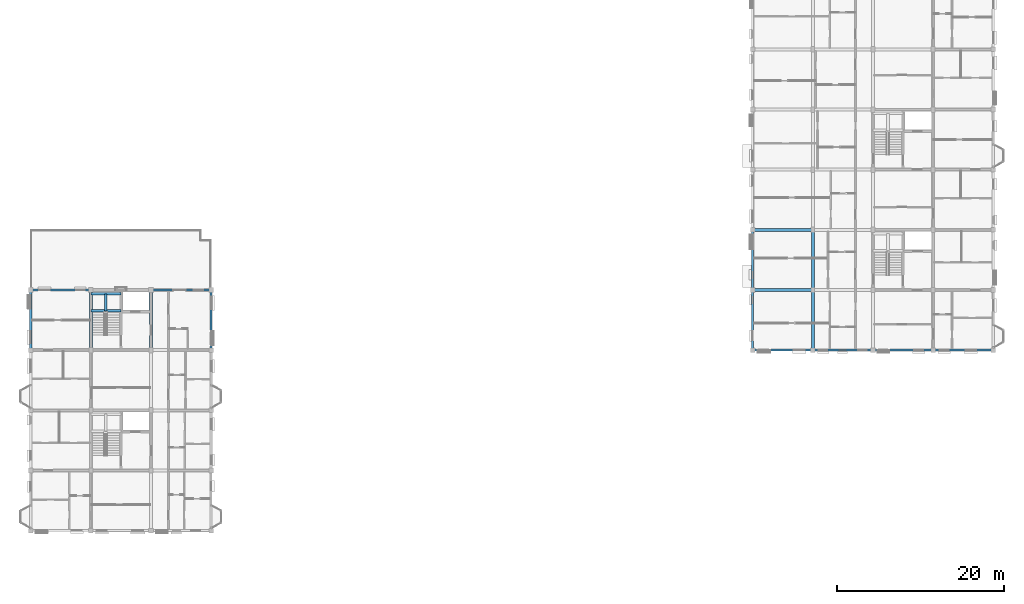
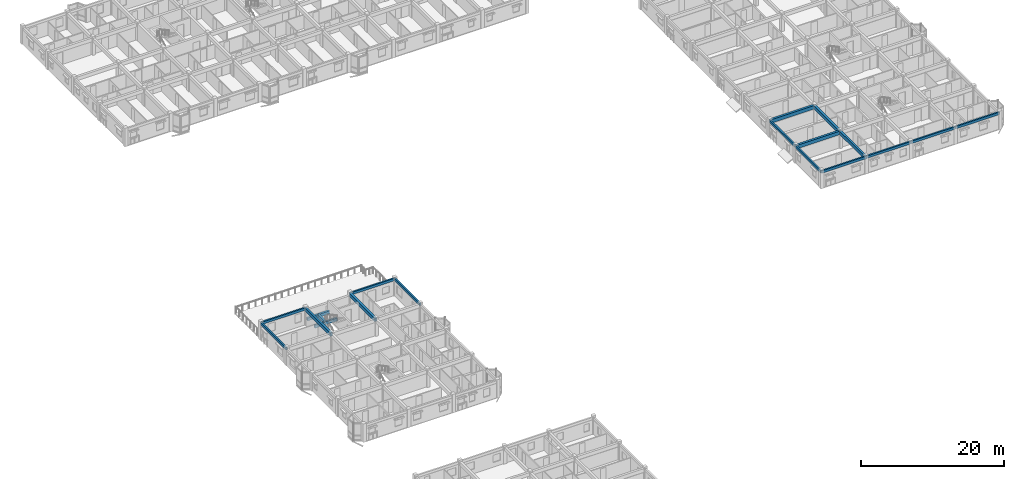
# One storey, part 20 of 75: 19 beams.
"""IFC4 building model written with IfcOpenShell, lengths in metres."""

from ifc_helpers import new_model, si_unit, direction, frame, origin, origin_2d, place, context, subcontext, project, spatial, rectangle, extrude, material, material_profile, profile_set, type_object, element, save


model = new_model("IFC4")

# Units and contexts
model_context = context("Model", 3, precision=1e-05, world=origin(), true_north=direction((0.0, 1.0)))
body_context = subcontext(model_context, "Body", "Model", "MODEL_VIEW")
ifc_project = project(units=[si_unit("LENGTHUNIT", "METRE"), si_unit("AREAUNIT", "SQUARE_METRE"), si_unit("VOLUMEUNIT", "CUBIC_METRE"), si_unit("PLANEANGLEUNIT", "RADIAN"), si_unit("MASSUNIT", "GRAM", prefix="KILO"), si_unit("THERMODYNAMICTEMPERATUREUNIT", "KELVIN"), si_unit("POWERUNIT", "WATT")], contexts=[model_context])

# Site, building, storey
site_placement = place(None, origin())
site = spatial("IfcSite", under=ifc_project, at=site_placement, CompositionType="ELEMENT")
building_placement = place(site_placement, origin())
building = spatial("IfcBuilding", under=site, at=building_placement, Name="Tavuni Mirador Residences", CompositionType="ELEMENT")
storey_placement = place(building_placement, frame((0.0, 0.0, 20.25)))
storey = spatial("IfcBuildingStorey", under=building, at=storey_placement, Name="L06", CompositionType="ELEMENT", Elevation=20.25)

# Beams
ifc_material = material(Name="Precast concrete C40/50", Category="concrete")
ifc_material_profile_1 = material_profile(ifc_material, rectangle(XDim=0.300048828125, YDim=0.5, at=origin_2d()), Name="PC 300x500", Category="concrete")
ifc_profile_set_1 = profile_set([ifc_material_profile_1], Name="Precast concrete C40/50")
beam_type_1 = type_object("IfcBeamType", Name="BT-B500", PredefinedType="BEAM", material=ifc_profile_set_1)
for number, where, z_axis, x_axis, name in (
    (1, (10.800048828125, 91.10009765625, 1.14501953125), (1.0, 0.0, 0.0), (0.0, 1.0, 0.0), "HLB1-C4-L06"),
    (2, (10.800048828125, 93.14990234375, 1.14501953125), (1.0, 0.0, 0.0), (0.0, 1.0, 0.0), "HLB2-C4-L06"),
):
    element("IfcBeam", number, at=place(storey_placement, frame(where, z_axis=z_axis, x_axis=x_axis)), inside=storey, type_object=beam_type_1, Name=name, PredefinedType="BEAM", context=body_context, shape_type="SweptSolid", body=[
        extrude(rectangle(XDim=0.300048828125, YDim=0.5, at=origin_2d()), origin(), (0.0, 0.0, 1.0), 3.599853515625),
    ])
beam_1_placement = place(storey_placement, frame((12.60009765625, 91.10009765625, 1.14501953125), z_axis=(0.0, 1.0, 0.0), x_axis=(-1.0, 0.0, 0.0)))
element("IfcBeam", 3, at=beam_1_placement, inside=storey, type_object=beam_type_1, Name="HLB3-C4-L06", PredefinedType="BEAM", context=body_context, shape_type="SweptSolid", body=[
    extrude(rectangle(XDim=0.300048828125, YDim=0.5, at=origin_2d()), origin(), (0.0, 0.0, 1.0), 2.0498046875),
])
ifc_material_profile_2 = material_profile(ifc_material, rectangle(XDim=0.35009765625, YDim=0.60009765625, at=origin_2d()), Name="PC 350x600", Category="concrete")
ifc_profile_set_2 = profile_set([ifc_material_profile_2], Name="Precast concrete C40/50")
beam_type_2 = type_object("IfcBeamType", Name="BT-B600", PredefinedType="BEAM", material=ifc_profile_set_2)
for number, where, z_axis, x_axis, name in (
    (4, (10.800048828125, 86.39990234375, 2.610107421875), (0.0, 1.0, 0.0), (-1.0, 0.0, 0.0), "BMY-BLK-B-L06-01-03"),
    (5, (18.0, 86.39990234375, 2.610107421875), (0.0, 1.0, 0.0), (-1.0, 0.0, 0.0), "BMY-BLK-B-L06-02-03"),
):
    element("IfcBeam", number, at=place(storey_placement, frame(where, z_axis=z_axis, x_axis=x_axis)), inside=storey, type_object=beam_type_2, Name=name, PredefinedType="BEAM", context=body_context, shape_type="SweptSolid", body=[
        extrude(rectangle(XDim=0.35009765625, YDim=0.60009765625, at=origin_2d()), origin(), (0.0, 0.0, 1.0), 7.2001953125),
    ])
for number, where, z_axis, x_axis, name in (
    (6, (90.0, 93.60009765625, 2.590087890625), (1.0, 0.0, 0.0), (0.0, 1.0, 0.0), "BMX-BLK-D-L06-00-01"),
    (7, (90.0, 100.800048828125, 2.590087890625), (1.0, 0.0, 0.0), (0.0, 1.0, 0.0), "BMX-BLK-D-L06-00-02"),
):
    element("IfcBeam", number, at=place(storey_placement, frame(where, z_axis=z_axis, x_axis=x_axis)), inside=storey, type_object=beam_type_2, Name=name, PredefinedType="BEAM", context=body_context, shape_type="SweptSolid", body=[
        extrude(rectangle(XDim=0.35009765625, YDim=0.60009765625, at=origin_2d()), origin(), (0.0, 0.0, 1.0), 7.199951171875),
    ])
beam_2_placement = place(storey_placement, frame((97.199951171875, 86.39990234375, 2.590087890625), z_axis=(0.0, 1.0, 0.0), x_axis=(-1.0, 0.0, 0.0)))
element("IfcBeam", 8, at=beam_2_placement, inside=storey, type_object=beam_type_2, Name="BMY-BLK-D-L06-01-00", PredefinedType="BEAM", context=body_context, shape_type="SweptSolid", body=[
    extrude(rectangle(XDim=0.35009765625, YDim=0.60009765625, at=origin_2d()), origin(), (0.0, 0.0, 1.0), 7.2001953125),
])
beam_3_placement = place(storey_placement, frame((97.199951171875, 93.60009765625, 2.590087890625), z_axis=(0.0, 1.0, 0.0), x_axis=(-1.0, 0.0, 0.0)))
element("IfcBeam", 9, at=beam_3_placement, inside=storey, type_object=beam_type_2, Name="BMY-BLK-D-L06-01-01", PredefinedType="BEAM", context=body_context, shape_type="SweptSolid", body=[
    extrude(rectangle(XDim=0.35009765625, YDim=0.60009765625, at=origin_2d()), origin(), (0.0, 0.0, 1.0), 7.199951171875),
])
ifc_material_profile_3 = material_profile(ifc_material, rectangle(XDim=0.25, YDim=0.419921875, at=origin_2d()), Name="PC 250x420", Category="concrete")
ifc_profile_set_3 = profile_set([ifc_material_profile_3], Name="Precast concrete C40/50")
beam_type_3 = type_object("IfcBeamType", Name="BT-SP420", PredefinedType="SPANDREL", material=ifc_profile_set_3)
for number, where, z_axis, x_axis, name in (
    (10, (3.60009765625, 93.60009765625, 2.699951171875), (1.0, 0.0, 0.0), (0.0, 1.0, 0.0), "BMX-BLK-B-L06-00-04"),
    (11, (18.0, 93.60009765625, 2.699951171875), (1.0, 0.0, 0.0), (0.0, 1.0, 0.0), "BMX-BLK-B-L06-02-04"),
):
    element("IfcBeam", number, at=place(storey_placement, frame(where, z_axis=z_axis, x_axis=x_axis)), inside=storey, type_object=beam_type_3, Name=name, PredefinedType="SPANDREL", context=body_context, shape_type="SweptSolid", body=[
        extrude(rectangle(XDim=0.25, YDim=0.419921875, at=origin_2d()), origin(), (0.0, 0.0, 1.0), 7.199951171875),
    ])
for number, where, z_axis, x_axis, name in (
    (12, (3.60009765625, 86.39990234375, 2.699951171875), (0.0, 1.0, 0.0), (-1.0, 0.0, 0.0), "BMY-BLK-B-L06-00-03"),
    (13, (25.199951171875, 86.39990234375, 2.699951171875), (0.0, 1.0, 0.0), (-1.0, 0.0, 0.0), "BMY-BLK-B-L06-03-03"),
):
    element("IfcBeam", number, at=place(storey_placement, frame(where, z_axis=z_axis, x_axis=x_axis)), inside=storey, type_object=beam_type_3, Name=name, PredefinedType="SPANDREL", context=body_context, shape_type="SweptSolid", body=[
        extrude(rectangle(XDim=0.25, YDim=0.419921875, at=origin_2d()), origin(), (0.0, 0.0, 1.0), 7.2001953125),
    ])
for number, where, z_axis, x_axis, name in (
    (14, (90.0, 86.39990234375, 2.679931640625), (1.0, 0.0, 0.0), (0.0, 1.0, 0.0), "BMX-BLK-D-L06-00-00"),
    (15, (97.199951171875, 86.39990234375, 2.679931640625), (1.0, 0.0, 0.0), (0.0, 1.0, 0.0), "BMX-BLK-D-L06-01-00"),
):
    element("IfcBeam", number, at=place(storey_placement, frame(where, z_axis=z_axis, x_axis=x_axis)), inside=storey, type_object=beam_type_3, Name=name, PredefinedType="SPANDREL", context=body_context, shape_type="SweptSolid", body=[
        extrude(rectangle(XDim=0.25, YDim=0.419921875, at=origin_2d()), origin(), (0.0, 0.0, 1.0), 7.199951171875),
    ])
beam_4_placement = place(storey_placement, frame((104.39990234375, 86.39990234375, 2.679931640625), z_axis=(1.0, 0.0, 0.0), x_axis=(0.0, 1.0, 0.0)))
element("IfcBeam", 16, at=beam_4_placement, inside=storey, type_object=beam_type_3, Name="BMX-BLK-D-L06-02-00", PredefinedType="SPANDREL", context=body_context, shape_type="SweptSolid", body=[
    extrude(rectangle(XDim=0.25, YDim=0.419921875, at=origin_2d()), origin(), (0.0, 0.0, 1.0), 7.2001953125),
])
beam_5_placement = place(storey_placement, frame((111.60009765625, 86.39990234375, 2.679931640625), z_axis=(1.0, 0.0, 0.0), x_axis=(0.0, 1.0, 0.0)))
element("IfcBeam", 17, at=beam_5_placement, inside=storey, type_object=beam_type_3, Name="BMX-BLK-D-L06-03-00", PredefinedType="SPANDREL", context=body_context, shape_type="SweptSolid", body=[
    extrude(rectangle(XDim=0.25, YDim=0.419921875, at=origin_2d()), origin(), (0.0, 0.0, 1.0), 7.199951171875),
])
beam_6_placement = place(storey_placement, frame((90.0, 86.39990234375, 2.679931640625), z_axis=(0.0, 1.0, 0.0), x_axis=(-1.0, 0.0, 0.0)))
element("IfcBeam", 18, at=beam_6_placement, inside=storey, type_object=beam_type_3, Name="BMY-BLK-D-L06-00-00", PredefinedType="SPANDREL", context=body_context, shape_type="SweptSolid", body=[
    extrude(rectangle(XDim=0.25, YDim=0.419921875, at=origin_2d()), origin(), (0.0, 0.0, 1.0), 7.2001953125),
])
beam_7_placement = place(storey_placement, frame((90.0, 93.60009765625, 2.679931640625), z_axis=(0.0, 1.0, 0.0), x_axis=(-1.0, 0.0, 0.0)))
element("IfcBeam", 19, at=beam_7_placement, inside=storey, type_object=beam_type_3, Name="BMY-BLK-D-L06-00-01", PredefinedType="SPANDREL", context=body_context, shape_type="SweptSolid", body=[
    extrude(rectangle(XDim=0.25, YDim=0.419921875, at=origin_2d()), origin(), (0.0, 0.0, 1.0), 7.199951171875),
])

save(model, "model.ifc")
